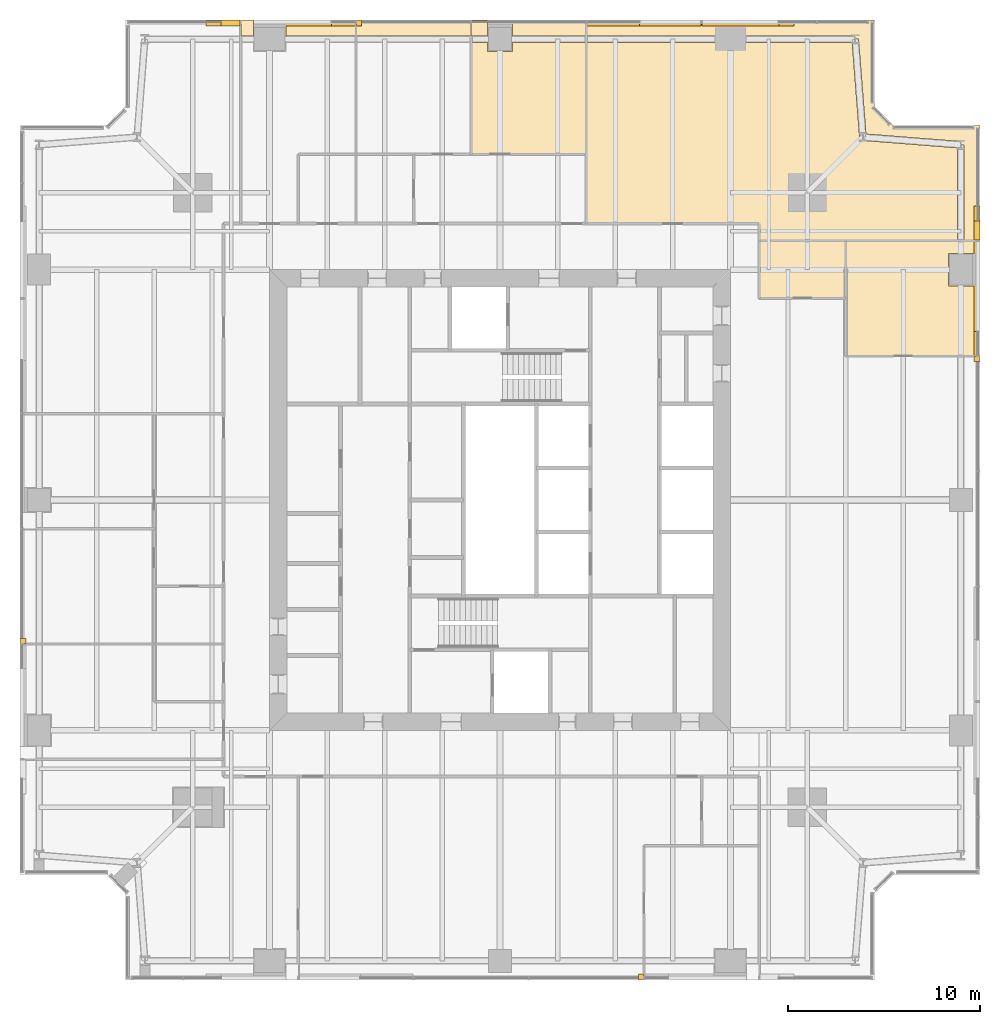
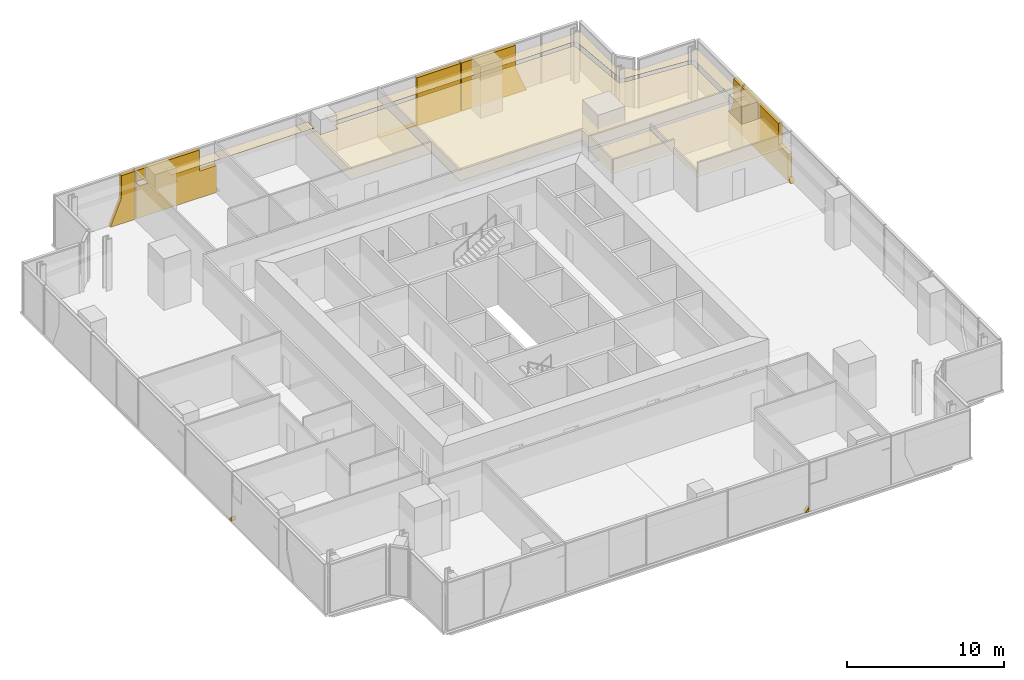
# One storey, part 14 of 14: 20 coverings.
"""IFC4 building model written with IfcOpenShell, lengths in metres."""

from ifc_helpers import new_model, si_unit, direction, frame, origin, place, context, subcontext, project, spatial, polyline, outline, extrude, material, layer, layer_set, type_object, element, save


model = new_model("IFC4")

# Units and contexts
model_context = context("Model", 3, precision=1e-05, world=origin(), true_north=direction((0.0, 1.0)))
body_context = subcontext(model_context, "Body", "Model", "MODEL_VIEW")
ifc_project = project(units=[si_unit("LENGTHUNIT", "METRE"), si_unit("AREAUNIT", "SQUARE_METRE"), si_unit("VOLUMEUNIT", "CUBIC_METRE"), si_unit("PLANEANGLEUNIT", "RADIAN"), si_unit("MASSUNIT", "GRAM", prefix="KILO")], contexts=[model_context])

# Site, building, storey
site_placement = place(None, origin())
site = spatial("IfcSite", under=ifc_project, at=site_placement, CompositionType="ELEMENT")
building_placement = place(site_placement, origin())
building = spatial("IfcBuilding", under=site, at=building_placement, Name="Fenwick Lantern Interchange", CompositionType="ELEMENT")
storey_placement = place(building_placement, frame((0.0, 0.0, 197.800048828125)))
storey = spatial("IfcBuildingStorey", under=building, at=storey_placement, Name="L46", CompositionType="ELEMENT", Elevation=197.800048828125)

# Coverings
ifc_material_1 = material(Name="Mineral fibre acoustic tile on suspended grid")
ifc_layer_1 = layer(ifc_material_1, 0.02001953125)
ifc_layer_set_1 = layer_set([ifc_layer_1], Name="ACOUSTIC TILE CEILING 20")
covering_type_1 = type_object("IfcCoveringType", Name="ACOUSTIC TILE CEILING 20", PredefinedType="CEILING", material=ifc_layer_set_1)
covering_1_placement = place(storey_placement, frame((0.0, 0.0, 2.699951171875)))
element("IfcCovering", 1, at=covering_1_placement, inside=storey, type_object=covering_type_1, Name="Quiet room ceiling", PredefinedType="CEILING", context=body_context, shape_type="SweptSolid", body=[
    extrude(outline(polyline([(50.0, 32.5), (50.0, 36.14990234375), (48.35009765625, 36.14990234375), (48.35009765625, 37.85009765625), (50.0, 37.85009765625), (50.0, 38.5), (43.0, 38.5), (43.0, 32.5), (50.0, 32.5)])), origin(), (0.0, 0.0, 1.0), 0.02001953125),
])
covering_2_placement = place(storey_placement, frame((0.0, 0.0, 2.89990234375)))
element("IfcCovering", 2, at=covering_2_placement, inside=storey, type_object=covering_type_1, Name="Meeting room ceiling", PredefinedType="CEILING", context=body_context, shape_type="SweptSolid", body=[
    extrude(outline(polyline([(29.5, 43.0), (29.5, 48.82763671875), (25.64990234375, 48.82763671875), (25.64990234375, 48.35009765625), (24.35009765625, 48.35009765625), (24.35009765625, 48.82763671875), (23.5, 48.82763671875), (23.5, 43.0), (29.5, 43.0)])), origin(), (0.0, 0.0, 1.0), 0.02001953125),
])
covering_3_placement = place(storey_placement, frame((0.0, 0.0, 2.89990234375)))
element("IfcCovering", 3, at=covering_3_placement, inside=storey, type_object=covering_type_1, Name="Meeting room ceiling", PredefinedType="CEILING", context=body_context, shape_type="SweptSolid", body=[
    extrude(outline(polyline([(29.5, 49.17236328125), (29.5, 50.0), (25.64990234375, 50.0), (25.64990234375, 49.17236328125), (29.5, 49.17236328125)])), origin(), (0.0, 0.0, 1.0), 0.02001953125),
])
covering_4_placement = place(storey_placement, frame((0.0, 0.0, 2.89990234375)))
element("IfcCovering", 4, at=covering_4_placement, inside=storey, type_object=covering_type_1, Name="Meeting room ceiling", PredefinedType="CEILING", context=body_context, shape_type="SweptSolid", body=[
    extrude(outline(polyline([(23.5, 50.0), (23.5, 49.17236328125), (24.35009765625, 49.17236328125), (24.35009765625, 50.0), (23.5, 50.0)])), origin(), (0.0, 0.0, 1.0), 0.02001953125),
])
covering_5_placement = place(storey_placement, frame((0.0, 0.0, 2.89990234375)))
element("IfcCovering", 5, at=covering_5_placement, inside=storey, type_object=covering_type_1, Name="Meeting room ceiling", PredefinedType="CEILING", context=body_context, shape_type="SweptSolid", body=[
    extrude(outline(polyline([(17.5, 50.0), (17.5, 49.17236328125), (23.5, 49.17236328125), (23.5, 50.0), (17.5, 50.0)])), origin(), (0.0, 0.0, 1.0), 0.02001953125),
])
covering_6_placement = place(storey_placement, frame((0.0, 0.0, 2.89990234375)))
element("IfcCovering", 6, at=covering_6_placement, inside=storey, type_object=covering_type_1, Name="Open office ceiling", PredefinedType="CEILING", context=body_context, shape_type="SweptSolid", body=[
    extrude(outline(polyline([(38.5, 38.5), (48.82763671875, 38.5), (48.82763671875, 43.340576171875), (43.886474609375, 43.72802734375), (43.89990234375, 43.89990234375), (43.72802734375, 43.886474609375), (43.340576171875, 48.82763671875), (37.0, 48.82763671875), (29.5, 48.82763671875), (29.5, 39.39990234375), (38.5, 39.39990234375), (38.5, 38.5)])), origin(), (0.0, 0.0, 1.0), 0.02001953125),
])
covering_7_placement = place(storey_placement, frame((0.0, 0.0, 2.89990234375)))
element("IfcCovering", 7, at=covering_7_placement, inside=storey, type_object=covering_type_1, Name="Open office ceiling", PredefinedType="CEILING", context=body_context, shape_type="SweptSolid", body=[
    extrude(outline(polyline([(44.5, 50.0), (29.5, 50.0), (29.5, 49.17236328125), (37.0, 49.17236328125), (43.5, 49.17236328125), (43.5, 49.0), (43.671875, 49.013427734375), (44.060302734375, 44.060302734375), (49.013427734375, 43.671875), (49.0, 43.5), (49.17236328125, 43.5), (49.17236328125, 38.5), (50.0, 38.5), (50.0, 44.5), (45.5, 44.5), (44.5, 45.5), (44.5, 50.0)])), origin(), (0.0, 0.0, 1.0), 0.02001953125),
])
covering_8_placement = place(storey_placement, frame((0.0, 0.0, 2.89990234375)))
element("IfcCovering", 8, at=covering_8_placement, inside=storey, type_object=covering_type_1, Name="Meeting room ceiling", PredefinedType="CEILING", context=body_context, shape_type="SweptSolid", body=[
    extrude(outline(polyline([(13.85009765625, 50.0), (13.85009765625, 49.17236328125), (17.5, 49.17236328125), (17.5, 50.0), (13.85009765625, 50.0)])), origin(), (0.0, 0.0, 1.0), 0.02001953125),
])
covering_9_placement = place(storey_placement, frame((0.0, 0.0, 2.89990234375)))
element("IfcCovering", 9, at=covering_9_placement, inside=storey, type_object=covering_type_1, Name="Meeting room ceiling", PredefinedType="CEILING", context=body_context, shape_type="SweptSolid", body=[
    extrude(outline(polyline([(12.14990234375, 49.17236328125), (12.14990234375, 50.0), (11.5, 50.0), (11.5, 49.17236328125), (12.14990234375, 49.17236328125)])), origin(), (0.0, 0.0, 1.0), 0.02001953125),
])
ifc_material_2 = material(Name="Granite cladding, warm grey flamed finish, on aluminium carrier frame", Category="masonry")
ifc_layer_2 = layer(ifc_material_2, 0.300048828125)
ifc_layer_set_2 = layer_set([ifc_layer_2], Name="BRACE CASING PANEL 300")
covering_type_2 = type_object("IfcCoveringType", Name="BRACE CASING PANEL 300", PredefinedType="CLADDING", material=ifc_layer_set_2)
for number, where, z_axis, x_axis, name in (
    (10, (5.60009765625, 0.10009765625, 0.0), (0.0, 0.0, 1.0), (1.0, 0.0, 0.0), "Brace casing 01 bay 04a"),
    (11, (49.89990234375, 5.60009765625, 0.0), (0.0, 0.0, 1.0), (0.0, 1.0, 0.0), "Brace casing 05 bay 04a"),
):
    element("IfcCovering", number, at=place(storey_placement, frame(where, z_axis=z_axis, x_axis=x_axis)), inside=storey, type_object=covering_type_2, Name=name, PredefinedType="CLADDING", context=body_context, shape_type="SweptSolid", body=[
        extrude(outline(polyline([(26.6044921875, 0.0), (26.867431640625, 0.0), (26.867431640625, 0.3505859375), (26.6044921875, 0.0)])), frame((0.0, 0.2001953125, 0.0), z_axis=(0.0, -1.0, 0.0), x_axis=(1.0, 0.0, 0.0)), (0.0, 0.0, 1.0), 0.300048828125),
    ])
covering_10_placement = place(storey_placement, frame((49.89990234375, 5.60009765625, 0.0), z_axis=(0.0, 0.0, 1.0), x_axis=(0.0, 1.0, 0.0)))
element("IfcCovering", 12, at=covering_10_placement, inside=storey, type_object=covering_type_2, Name="Brace casing 05 bay 05a", PredefinedType="CLADDING", context=body_context, shape_type="SweptSolid", body=[
    extrude(outline(polyline([(26.9326171875, 0.0), (32.867431640625, 0.0), (32.867431640625, 3.75), (28.172607421875, 3.75), (28.172607421875, 2.090576171875), (26.9326171875, 2.090576171875), (26.9326171875, 0.0)])), frame((0.0, 0.2001953125, 0.0), z_axis=(0.0, -1.0, 0.0), x_axis=(1.0, 0.0, 0.0)), (0.0, 0.0, 1.0), 0.300048828125),
])
covering_11_placement = place(storey_placement, frame((49.89990234375, 5.60009765625, 0.0), z_axis=(0.0, 0.0, 1.0), x_axis=(0.0, 1.0, 0.0)))
element("IfcCovering", 13, at=covering_11_placement, inside=storey, type_object=covering_type_2, Name="Brace casing 05 bay 06a", PredefinedType="CLADDING", context=body_context, shape_type="SweptSolid", body=[
    extrude(outline(polyline([(32.9326171875, 0.0), (34.7216796875, 0.0), (33.919921875, 1.973388671875), (33.919921875, 3.75), (32.9326171875, 3.75), (32.9326171875, 0.0)])), frame((0.0, 0.2001953125, 0.0), z_axis=(0.0, -1.0, 0.0), x_axis=(1.0, 0.0, 0.0)), (0.0, 0.0, 1.0), 0.300048828125),
])
covering_12_placement = place(storey_placement, frame((44.39990234375, 49.89990234375, 0.0), z_axis=(0.0, 0.0, 1.0), x_axis=(-1.0, 0.0, 0.0)))
element("IfcCovering", 14, at=covering_12_placement, inside=storey, type_object=covering_type_2, Name="Brace casing 09 bay 01a", PredefinedType="CLADDING", context=body_context, shape_type="SweptSolid", body=[
    extrude(outline(polyline([(4.078369140625, 0.0), (8.867431640625, 0.0), (8.867431640625, 3.75), (4.880126953125, 3.75), (4.880126953125, 1.973388671875), (4.078369140625, 0.0)])), frame((0.0, 0.2001953125, 0.0), z_axis=(0.0, -1.0, 0.0), x_axis=(1.0, 0.0, 0.0)), (0.0, 0.0, 1.0), 0.300048828125),
])
covering_13_placement = place(storey_placement, frame((44.39990234375, 49.89990234375, 0.0), z_axis=(0.0, 0.0, 1.0), x_axis=(-1.0, 0.0, 0.0)))
element("IfcCovering", 15, at=covering_13_placement, inside=storey, type_object=covering_type_2, Name="Brace casing 09 bay 02a", PredefinedType="CLADDING", context=body_context, shape_type="SweptSolid", body=[
    extrude(outline(polyline([(8.9326171875, 0.0), (14.867431640625, 0.0), (14.867431640625, 0.093994140625), (12.125, 0.093994140625), (12.125, 3.75), (8.9326171875, 3.75), (8.9326171875, 0.0)])), frame((0.0, 0.2001953125, 0.0), z_axis=(0.0, -1.0, 0.0), x_axis=(1.0, 0.0, 0.0)), (0.0, 0.0, 1.0), 0.300048828125),
])
covering_14_placement = place(storey_placement, frame((44.39990234375, 49.89990234375, 0.0), z_axis=(0.0, 0.0, 1.0), x_axis=(-1.0, 0.0, 0.0)))
element("IfcCovering", 16, at=covering_14_placement, inside=storey, type_object=covering_type_2, Name="Brace casing 09 bay 04a", PredefinedType="CLADDING", context=body_context, shape_type="SweptSolid", body=[
    extrude(outline(polyline([(26.6044921875, 0.0), (26.867431640625, 0.0), (26.867431640625, 0.3505859375), (26.6044921875, 0.0)])), frame((0.0, 0.2001953125, 0.0), z_axis=(0.0, -1.0, 0.0), x_axis=(1.0, 0.0, 0.0)), (0.0, 0.0, 1.0), 0.300048828125),
])
covering_15_placement = place(storey_placement, frame((44.39990234375, 49.89990234375, 0.0), z_axis=(0.0, 0.0, 1.0), x_axis=(-1.0, 0.0, 0.0)))
element("IfcCovering", 17, at=covering_15_placement, inside=storey, type_object=covering_type_2, Name="Brace casing 09 bay 05a", PredefinedType="CLADDING", context=body_context, shape_type="SweptSolid", body=[
    extrude(outline(polyline([(26.9326171875, 0.0), (32.867431640625, 0.0), (32.867431640625, 3.75), (28.172607421875, 3.75), (28.172607421875, 2.090576171875), (26.9326171875, 2.090576171875), (26.9326171875, 0.0)])), frame((0.0, 0.2001953125, 0.0), z_axis=(0.0, -1.0, 0.0), x_axis=(1.0, 0.0, 0.0)), (0.0, 0.0, 1.0), 0.300048828125),
])
covering_16_placement = place(storey_placement, frame((44.39990234375, 49.89990234375, 0.0), z_axis=(0.0, 0.0, 1.0), x_axis=(-1.0, 0.0, 0.0)))
element("IfcCovering", 18, at=covering_16_placement, inside=storey, type_object=covering_type_2, Name="Brace casing 09 bay 06a", PredefinedType="CLADDING", context=body_context, shape_type="SweptSolid", body=[
    extrude(outline(polyline([(32.9326171875, 0.0), (34.7216796875, 0.0), (33.919921875, 1.973388671875), (33.919921875, 3.75), (32.9326171875, 3.75), (32.9326171875, 0.0)])), frame((0.0, 0.2001953125, 0.0), z_axis=(0.0, -1.0, 0.0), x_axis=(1.0, 0.0, 0.0)), (0.0, 0.0, 1.0), 0.300048828125),
])
covering_17_placement = place(storey_placement, frame((0.10009765625, 44.39990234375, 0.0), z_axis=(0.0, 0.0, 1.0), x_axis=(0.0, -1.0, 0.0)))
element("IfcCovering", 19, at=covering_17_placement, inside=storey, type_object=covering_type_2, Name="Brace casing 13 bay 04a", PredefinedType="CLADDING", context=body_context, shape_type="SweptSolid", body=[
    extrude(outline(polyline([(26.6044921875, 0.0), (26.867431640625, 0.0), (26.867431640625, 0.3505859375), (26.6044921875, 0.0)])), frame((0.0, 0.2001953125, 0.0), z_axis=(0.0, -1.0, 0.0), x_axis=(1.0, 0.0, 0.0)), (0.0, 0.0, 1.0), 0.300048828125),
])
ifc_material_3 = material(Name="Moisture resistant gypsum board on suspended frame, painted")
ifc_layer_3 = layer(ifc_material_3, 0.014892578125)
ifc_layer_set_3 = layer_set([ifc_layer_3], Name="MOISTURE RESISTANT CEILING 15")
covering_type_3 = type_object("IfcCoveringType", Name="MOISTURE RESISTANT CEILING 15", PredefinedType="CEILING", material=ifc_layer_set_3)
covering_18_placement = place(storey_placement, frame((0.0, 0.0, 2.699951171875)))
element("IfcCovering", 20, at=covering_18_placement, inside=storey, type_object=covering_type_3, Name="Pantry ceiling", PredefinedType="CEILING", context=body_context, shape_type="SweptSolid", body=[
    extrude(outline(polyline([(43.0, 35.5), (43.0, 38.5), (38.5, 38.5), (38.5, 35.5), (43.0, 35.5)])), origin(), (0.0, 0.0, 1.0), 0.014892578125),
])

save(model, "model.ifc")
